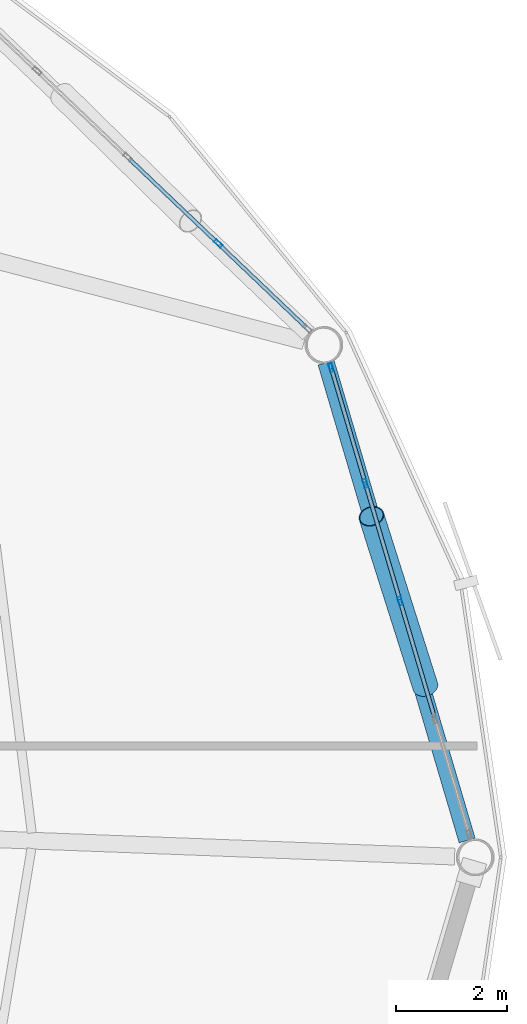
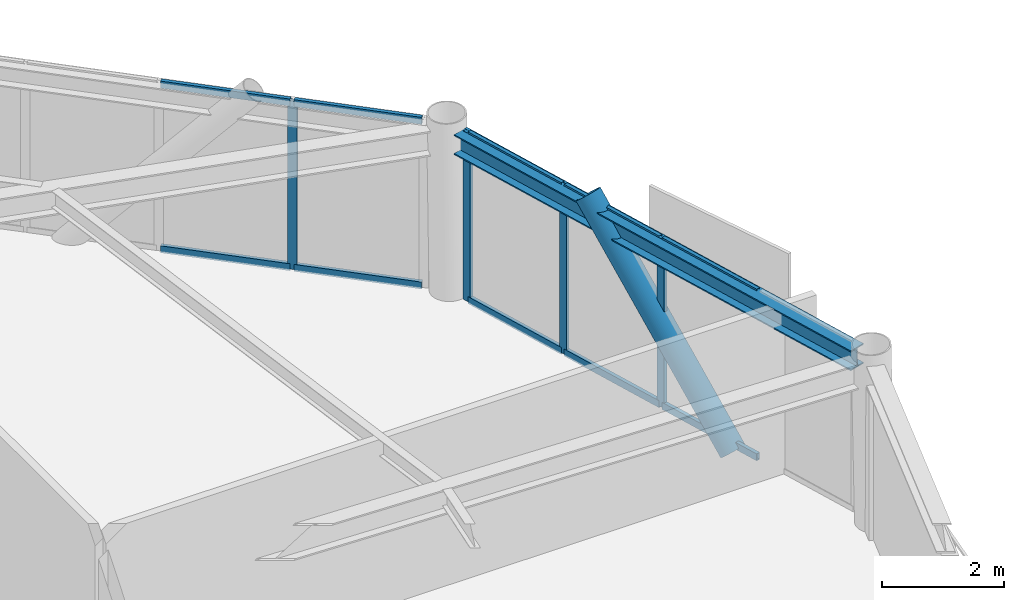
# One storey, part 17 of 28: 15 members, 1 beam, 2 elements without a shape of their own.
"""IFC4 building model written with IfcOpenShell, lengths in metres."""

import ifcopenshell
import ifcopenshell.guid

model = None  # the IFC model being written
_history = None  # IfcOwnerHistory: only IFC2X3 demands one
_inside = {}  # id of a spatial element -> (the spatial element, [elements in it])
_under = {}  # id of a project, library or spatial element -> (it, [spatial elements below it])
_declared = {}  # id of a project -> (the project, [libraries it declares])
_typed = {}  # id of a type object -> (the type object, [elements of that type])
_made_of = {}  # id of a material, layer set ... -> (it, [elements and type objects made of it])


def new_model(schema):
    """Start an empty IFC model of exactly this schema.

    Asked for "IFC4X3", IfcOpenShell would pick the latest addendum, in which some entities
    have other attributes; the version numbers below select the first issue.
    IFC2X3 requires an IfcOwnerHistory on every rooted entity: one is made here for all.
    """
    global model, _history
    if schema == "IFC4X3":
        model = ifcopenshell.file(schema_version=(4, 3, 0, 0))
    else:
        model = ifcopenshell.file(schema=schema)
    _inside.clear()
    _under.clear()
    _declared.clear()
    _typed.clear()
    _made_of.clear()
    _history = None
    if model.schema == "IFC2X3":
        org = make("IfcOrganization", Name="unknown")
        user = make(
            "IfcPersonAndOrganization",
            ThePerson=make("IfcPerson", FamilyName="unknown"),
            TheOrganization=org,
        )
        app = make(
            "IfcApplication",
            ApplicationDeveloper=org,
            Version="unknown",
            ApplicationFullName="unknown",
            ApplicationIdentifier="unknown",
        )
        _history = make(
            "IfcOwnerHistory",
            OwningUser=user,
            OwningApplication=app,
            ChangeAction="ADDED",
            CreationDate=0,
        )
    return model


def make(cls, **values):
    """One entity of the class cls with the attributes given. An attribute that is None is left unset."""
    return model.create_entity(
        cls, **{name: value for name, value in values.items() if value is not None}
    )


def rooted(cls, **values):
    """An entity with a GlobalId (a new one), such as an element, a storey or a relation."""
    return make(cls, GlobalId=ifcopenshell.guid.new(), OwnerHistory=_history, **values)


def si_unit(unit_type, name, prefix=None):
    """IfcSIUnit, for example si_unit("LENGTHUNIT", "METRE", prefix="MILLI")."""
    return make("IfcSIUnit", UnitType=unit_type, Prefix=prefix, Name=name)


def assignment(units):
    """IfcUnitAssignment: the units of a project."""
    return None if units is None else make("IfcUnitAssignment", Units=units)


def point(xyz):
    """IfcCartesianPoint."""
    return None if xyz is None else make("IfcCartesianPoint", Coordinates=xyz)


def direction(xyz):
    """IfcDirection."""
    return None if xyz is None else make("IfcDirection", DirectionRatios=xyz)


def frame(location, z_axis=None, x_axis=None):
    """IfcAxis2Placement3D, a coordinate frame: its origin and axes. An axis left out is left unset."""
    return make(
        "IfcAxis2Placement3D",
        Location=point(location),
        Axis=direction(z_axis),
        RefDirection=direction(x_axis),
    )


def frame_2d(location, x_axis=None):
    """IfcAxis2Placement2D, a coordinate frame in the plane: its origin and x axis."""
    return make(
        "IfcAxis2Placement2D", Location=point(location), RefDirection=direction(x_axis)
    )


def origin():
    """The frame at (0, 0, 0) with its axes left unset."""
    return frame((0.0, 0.0, 0.0))


def origin_2d():
    """The frame at (0, 0) in the plane with its x axis left unset."""
    return frame_2d((0.0, 0.0))


def place(relative_to, where):
    """IfcLocalPlacement: puts the frame where relative to a parent placement (None: the world)."""
    return make(
        "IfcLocalPlacement", PlacementRelTo=relative_to, RelativePlacement=where
    )


def context(
    kind, dimensions, precision=None, world=None, true_north=None, identifier=None
):
    """IfcGeometricRepresentationContext, for example the 3D "Model" context."""
    return make(
        "IfcGeometricRepresentationContext",
        ContextIdentifier=identifier,
        ContextType=kind,
        CoordinateSpaceDimension=dimensions,
        Precision=precision,
        WorldCoordinateSystem=world,
        TrueNorth=true_north,
    )


def subcontext(parent, identifier, kind, view, scale=None):
    """IfcGeometricRepresentationSubContext, for example "Body" below "Model"."""
    return make(
        "IfcGeometricRepresentationSubContext",
        ContextIdentifier=identifier,
        ContextType=kind,
        ParentContext=parent,
        TargetScale=scale,
        TargetView=view,
    )


def project(units=None, contexts=None):
    """IfcProject with its units and contexts."""
    return rooted(
        "IfcProject",
        Name="project",
        RepresentationContexts=contexts,
        UnitsInContext=assignment(units),
    )


def spatial(cls, under=None, at=None, **own):
    """A site, building, storey or space (cls), placed at a placement, below another one or the project."""
    s = rooted(cls, ObjectPlacement=at, **own)
    if under is not None:
        _under.setdefault(under.id(), (under, []))[1].append(s)
    return s


def profile(cls, at=None, kind="AREA", **sizes):
    """A parametric profile (cls). Its sizes go by their IFC names, for example OverallWidth=200.0."""
    return make(cls, ProfileType=kind, Position=at, **sizes)


def hollow_rectangle(**sizes):
    """IfcRectangleHollowProfileDef."""
    return profile("IfcRectangleHollowProfileDef", **sizes)


def hollow_circle(**sizes):
    """IfcCircleHollowProfileDef."""
    return profile("IfcCircleHollowProfileDef", **sizes)


def i_section(**sizes):
    """IfcIShapeProfileDef."""
    return profile("IfcIShapeProfileDef", **sizes)


def extrude(swept, where, along, depth):
    """IfcExtrudedAreaSolid: the profile swept, set in the frame where, extruded along a direction by depth."""
    return make(
        "IfcExtrudedAreaSolid",
        SweptArea=swept,
        Position=where,
        ExtrudedDirection=direction(along),
        Depth=depth,
    )


def shape(context_of_items, identifier, shape_type, items):
    """IfcShapeRepresentation: the items that make up one representation, for example the "Body"."""
    return make(
        "IfcShapeRepresentation",
        ContextOfItems=context_of_items,
        RepresentationIdentifier=identifier,
        RepresentationType=shape_type,
        Items=items,
    )


def material(Name=None, Category=None):
    """IfcMaterial."""
    return make("IfcMaterial", Name=Name, Category=Category)


def layer(
    of_material, thickness, ventilated=None, Name=None, Category=None, Priority=None
):
    """IfcMaterialLayer: one layer of a wall or slab, of a material (None: an air gap)."""
    return make(
        "IfcMaterialLayer",
        Material=of_material,
        LayerThickness=thickness,
        IsVentilated=ventilated,
        Name=Name,
        Category=Category,
        Priority=Priority,
    )


def layer_set(layers, Name=None):
    """IfcMaterialLayerSet."""
    return make("IfcMaterialLayerSet", MaterialLayers=layers, LayerSetName=Name)


def material_profile(
    of_material, cross_section, Name=None, Category=None, Priority=None
):
    """IfcMaterialProfile: a cross section and its material."""
    return make(
        "IfcMaterialProfile",
        Name=Name,
        Material=of_material,
        Profile=cross_section,
        Priority=Priority,
        Category=Category,
    )


def profile_set(profiles, Name=None, composite=None):
    """IfcMaterialProfileSet."""
    return make(
        "IfcMaterialProfileSet",
        Name=Name,
        MaterialProfiles=profiles,
        CompositeProfile=composite,
    )


def made_of(thing, what):
    """Note that an element or type object is made of a material, layer set ...; save() writes the relation."""
    if what is not None:
        _made_of.setdefault(what.id(), (what, []))[1].append(thing)
    return thing


def type_object(cls, material=None, **own):
    """A type object (cls), such as IfcWallType, which elements share."""
    return made_of(rooted(cls, **own), material)


def element(
    cls,
    number,
    at=None,
    inside=None,
    cuts=None,
    type_object=None,
    material=None,
    context=None,
    identifier="Body",
    shape_type=None,
    held_by="IfcProductDefinitionShape",
    body=None,
    shapes=None,
    **own,
):
    """One element of the class cls, such as IfcWall. Its Tag is "e" and its number.

    at: its placement. inside: the storey or other place that contains it. cuts: it is an
    opening in that element (IfcRelVoidsElement). A single representation is given by context,
    identifier, shape_type and body (its items); several are given by shapes. held_by: the class
    of the entity that holds the representations. save() writes the other relations.
    """
    e = rooted(cls, Tag="e%d" % number, ObjectPlacement=at, **own)
    if body is not None:
        shapes = [shape(context, identifier, shape_type, body)]
    if shapes is not None:
        e.Representation = make(held_by, Representations=shapes)
    if inside is not None:
        _inside.setdefault(inside.id(), (inside, []))[1].append(e)
    if cuts is not None:
        rooted(
            "IfcRelVoidsElement", RelatingBuildingElement=cuts, RelatedOpeningElement=e
        )
    if type_object is not None:
        _typed.setdefault(type_object.id(), (type_object, []))[1].append(e)
    return made_of(e, material)


def aggregate(whole, parts):
    """IfcRelAggregates: a whole, such as a stair, and the parts it consists of."""
    return rooted("IfcRelAggregates", RelatingObject=whole, RelatedObjects=parts)


def save(model, path):
    """Write the relations noted so far, then the file.

    IfcRelAggregates (storeys below a building ...), IfcRelContainedInSpatialStructure (elements
    in a storey), IfcRelDefinesByType, IfcRelAssociatesMaterial and IfcRelDeclares: one each for
    every whole, place, type object, material and project.
    """
    for whole, parts in _under.values():
        aggregate(whole, parts)
    for where, things in _inside.values():
        rooted(
            "IfcRelContainedInSpatialStructure",
            RelatedElements=things,
            RelatingStructure=where,
        )
    for kind, things in _typed.values():
        rooted("IfcRelDefinesByType", RelatedObjects=things, RelatingType=kind)
    for what, things in _made_of.values():
        rooted("IfcRelAssociatesMaterial", RelatedObjects=things, RelatingMaterial=what)
    for by, libraries in _declared.values():
        rooted("IfcRelDeclares", RelatingContext=by, RelatedDefinitions=libraries)
    model.write(path)


model = new_model("IFC4")

# Units and contexts
model_context = context("Model", 3, precision=1e-05, world=origin(), true_north=direction((0.0, 1.0)))
body_context = subcontext(model_context, "Body", "Model", "MODEL_VIEW")
ifc_project = project(units=[si_unit("LENGTHUNIT", "METRE"), si_unit("AREAUNIT", "SQUARE_METRE"), si_unit("VOLUMEUNIT", "CUBIC_METRE"), si_unit("PLANEANGLEUNIT", "RADIAN"), si_unit("MASSUNIT", "GRAM", prefix="KILO")], contexts=[model_context])

# Site, building, storey
site_placement = place(None, origin())
site = spatial("IfcSite", under=ifc_project, at=site_placement, CompositionType="ELEMENT")
building_placement = place(site_placement, origin())
building = spatial("IfcBuilding", under=site, at=building_placement, Name="Varnakorn Sky Granary", CompositionType="ELEMENT")
storey_placement = place(building_placement, frame((0.0, 0.0, 196.800048828125)))
storey = spatial("IfcBuildingStorey", under=building, at=storey_placement, Name="L49", CompositionType="ELEMENT", Elevation=196.800048828125)

# Beam
ifc_material_1 = material(Name="Steel S355JR", Category="steel")
ifc_material_profile_1 = material_profile(ifc_material_1, i_section(OverallWidth=0.300048828125, OverallDepth=0.39990234375, WebThickness=0.013427734375, FlangeThickness=0.02392578125, at=origin_2d()), Name="HE 400 B")
ifc_profile_set_1 = profile_set([ifc_material_profile_1], Name="Steel S355JR")
beam_type = type_object("IfcBeamType", Name="BM-SPD-Z4", PredefinedType="SPANDREL", material=ifc_profile_set_1)
beam_placement = place(storey_placement, frame((24.13671875, 0.302001953125, 3.159912109375), z_axis=(-0.283136334563, 0.959079671378, 0.0), x_axis=(-0.959079671378, -0.283136334563, 0.0)))
element("IfcBeam", 1, at=beam_placement, inside=storey, type_object=beam_type, Name="Perimeter Spandrel Ring Beam RB01 L49", PredefinedType="SPANDREL", context=body_context, shape_type="SweptSolid", body=[
    extrude(i_section(OverallWidth=0.300048828125, OverallDepth=0.39990234375, WebThickness=0.013427734375, FlangeThickness=0.02392578125, at=origin_2d()), origin(), (0.0, 0.0, 1.0), 8.951171875),
])

# Curtain wall, members
ifc_material_2 = material(Name="Anodised Bronze Aluminium Alloy 6063-T6", Category="aluminium")
ifc_layer = layer(ifc_material_2, 0.169921875, Name="Anodised Bronze Aluminium Alloy 6063-T6")
ifc_layer_set = layer_set([ifc_layer], Name="Anodised Bronze Aluminium Alloy 6063-T6")
curtain_wall_type = type_object("IfcCurtainWallType", Name="CW-LAB-1", PredefinedType="USERDEFINED", material=ifc_layer_set)
curtain_wall_1_placement = place(storey_placement, origin())
curtain_wall_1 = element("IfcCurtainWall", 2, at=curtain_wall_1_placement, inside=storey, type_object=curtain_wall_type, Name="Unitised Curtain Wall CW5 CW-L49-B01", ObjectType="CURTAIN WALL", PredefinedType="USERDEFINED")
ifc_material_profile_2 = material_profile(ifc_material_2, hollow_rectangle(XDim=0.06494140625, YDim=0.159912109375, WallThickness=0.00341796875, at=origin_2d()), Name="ALU MULL 65x160")
ifc_profile_set_2 = profile_set([ifc_material_profile_2], Name="Anodised Bronze Aluminium Alloy 6063-T6")
member_type_1 = type_object("IfcMemberType", Name="CW-LAB-1-MULL", PredefinedType="MULLION", material=ifc_profile_set_2)
member_1_placement = place(storey_placement, frame((21.69189453125, 8.80078125, 0.0), z_axis=(0.0, 0.0, 1.0), x_axis=(0.958963914964, 0.283528146394, 0.0)))
member_1 = element("IfcMember", 3, at=member_1_placement, type_object=member_type_1, Name="CW5 mullion 1", PredefinedType="MULLION", context=body_context, shape_type="SweptSolid", body=[
    extrude(hollow_rectangle(XDim=0.06494140625, YDim=0.159912109375, WallThickness=0.00341796875, at=origin_2d()), origin(), (0.0, 0.0, 1.0), 3.35986328125),
])
member_2_placement = place(storey_placement, frame((22.307861328125, 6.717529296875, 0.0), z_axis=(0.0, 0.0, 1.0), x_axis=(0.958963914964, 0.283528146394, 0.0)))
member_2 = element("IfcMember", 4, at=member_2_placement, type_object=member_type_1, Name="CW5 mullion 2", PredefinedType="MULLION", context=body_context, shape_type="SweptSolid", body=[
    extrude(hollow_rectangle(XDim=0.06494140625, YDim=0.159912109375, WallThickness=0.00341796875, at=origin_2d()), origin(), (0.0, 0.0, 1.0), 3.35986328125),
])
member_3_placement = place(storey_placement, frame((22.93310546875, 4.60302734375, 0.0), z_axis=(0.0, 0.0, 1.0), x_axis=(0.958963914964, 0.283528146394, 0.0)))
member_3 = element("IfcMember", 5, at=member_3_placement, type_object=member_type_1, Name="CW5 mullion 3", PredefinedType="MULLION", context=body_context, shape_type="SweptSolid", body=[
    extrude(hollow_rectangle(XDim=0.06494140625, YDim=0.159912109375, WallThickness=0.00341796875, at=origin_2d()), origin(), (0.0, 0.0, 1.0), 3.35986328125),
])

# Curtain wall, member
curtain_wall_2_placement = place(storey_placement, origin())
curtain_wall_2 = element("IfcCurtainWall", 6, at=curtain_wall_2_placement, inside=storey, type_object=curtain_wall_type, Name="Unitised Curtain Wall CW5 CW-L49-B02", ObjectType="CURTAIN WALL", PredefinedType="USERDEFINED")
member_4_placement = place(storey_placement, frame((19.6640625, 11.025390625, 0.0), z_axis=(0.0, 0.0, 1.0), x_axis=(0.690097158605, 0.723716734424, 0.0)))
member_4 = element("IfcMember", 7, at=member_4_placement, type_object=member_type_1, Name="CW5 mullion 4", PredefinedType="MULLION", context=body_context, shape_type="SweptSolid", body=[
    extrude(hollow_rectangle(XDim=0.06494140625, YDim=0.159912109375, WallThickness=0.00341796875, at=origin_2d()), origin(), (0.0, 0.0, 1.0), 3.35986328125),
])

# Member
ifc_material_profile_3 = material_profile(ifc_material_2, hollow_rectangle(XDim=0.070068359375, YDim=0.139892578125, WallThickness=0.00341796875, at=origin_2d()), Name="ALU TRAN 70x140")
ifc_profile_set_3 = profile_set([ifc_material_profile_3], Name="Anodised Bronze Aluminium Alloy 6063-T6")
member_type_2 = type_object("IfcMemberType", Name="CW-LAB-1-TRAN", PredefinedType="USERDEFINED", material=ifc_profile_set_3)
member_5_placement = place(storey_placement, frame((21.701171875, 8.769775390625, 0.034912109375), z_axis=(0.283476899326, -0.95897906523, 0.0), x_axis=(0.95897906523, 0.283476899326, 0.0)))
member_5 = element("IfcMember", 8, at=member_5_placement, type_object=member_type_2, Name="CW5 transom 1.1", ObjectType="TRANSOM", PredefinedType="USERDEFINED", context=body_context, shape_type="SweptSolid", body=[
    extrude(hollow_rectangle(XDim=0.070068359375, YDim=0.139892578125, WallThickness=0.00341796875, at=origin_2d()), origin(), (0.0, 0.0, 1.0), 2.107421875),
])

member_6_placement = place(storey_placement, frame((21.701171875, 8.769775390625, 3.324951171875), z_axis=(0.283476899326, -0.95897906523, 0.0), x_axis=(0.95897906523, 0.283476899326, 0.0)))
member_6 = element("IfcMember", 9, at=member_6_placement, type_object=member_type_2, Name="CW5 transom 1.2", ObjectType="TRANSOM", PredefinedType="USERDEFINED", context=body_context, shape_type="SweptSolid", body=[
    extrude(hollow_rectangle(XDim=0.070068359375, YDim=0.139892578125, WallThickness=0.00341796875, at=origin_2d()), origin(), (0.0, 0.0, 1.0), 2.107421875),
])

member_7_placement = place(storey_placement, frame((22.317138671875, 6.686279296875, 0.034912109375), z_axis=(0.283525001683, -0.958964844726, 0.0), x_axis=(0.958964844726, 0.283525001683, 0.0)))
member_7 = element("IfcMember", 10, at=member_7_placement, type_object=member_type_2, Name="CW5 transom 2.1", ObjectType="TRANSOM", PredefinedType="USERDEFINED", context=body_context, shape_type="SweptSolid", body=[
    extrude(hollow_rectangle(XDim=0.070068359375, YDim=0.139892578125, WallThickness=0.00341796875, at=origin_2d()), origin(), (0.0, 0.0, 1.0), 2.139892578125),
])

member_8_placement = place(storey_placement, frame((22.317138671875, 6.686279296875, 3.324951171875), z_axis=(0.283525001683, -0.958964844726, 0.0), x_axis=(0.958964844726, 0.283525001683, 0.0)))
member_8 = element("IfcMember", 11, at=member_8_placement, type_object=member_type_2, Name="CW5 transom 2.2", ObjectType="TRANSOM", PredefinedType="USERDEFINED", context=body_context, shape_type="SweptSolid", body=[
    extrude(hollow_rectangle(XDim=0.070068359375, YDim=0.139892578125, WallThickness=0.00341796875, at=origin_2d()), origin(), (0.0, 0.0, 1.0), 2.139892578125),
])

member_9_placement = place(storey_placement, frame((22.9423828125, 4.57177734375, 0.034912109375), z_axis=(0.283525001683, -0.958964844726, 0.0), x_axis=(0.958964844726, 0.283525001683, 0.0)))
member_9 = element("IfcMember", 12, at=member_9_placement, type_object=member_type_2, Name="CW5 transom 3.1", ObjectType="TRANSOM", PredefinedType="USERDEFINED", context=body_context, shape_type="SweptSolid", body=[
    extrude(hollow_rectangle(XDim=0.070068359375, YDim=0.139892578125, WallThickness=0.00341796875, at=origin_2d()), origin(), (0.0, 0.0, 1.0), 2.139892578125),
])

member_10_placement = place(storey_placement, frame((22.9423828125, 4.57177734375, 3.324951171875), z_axis=(0.283525001683, -0.958964844726, 0.0), x_axis=(0.958964844726, 0.283525001683, 0.0)))
member_10 = element("IfcMember", 13, at=member_10_placement, type_object=member_type_2, Name="CW5 transom 3.2", ObjectType="TRANSOM", PredefinedType="USERDEFINED", context=body_context, shape_type="SweptSolid", body=[
    extrude(hollow_rectangle(XDim=0.070068359375, YDim=0.139892578125, WallThickness=0.00341796875, at=origin_2d()), origin(), (0.0, 0.0, 1.0), 2.139892578125),
])

aggregate(curtain_wall_1, [member_1, member_2, member_3, member_5, member_6, member_7, member_8, member_9, member_10])

member_11_placement = place(storey_placement, frame((18.061767578125, 12.55322265625, 0.034912109375), z_axis=(0.723749243544, -0.690063064125, 0.0), x_axis=(0.690063064125, 0.723749243544, 0.0)))
member_11 = element("IfcMember", 14, at=member_11_placement, type_object=member_type_2, Name="CW5 transom 3.1", ObjectType="TRANSOM", PredefinedType="USERDEFINED", context=body_context, shape_type="SweptSolid", body=[
    extrude(hollow_rectangle(XDim=0.070068359375, YDim=0.139892578125, WallThickness=0.00341796875, at=origin_2d()), origin(), (0.0, 0.0, 1.0), 2.181396484375),
])

member_12_placement = place(storey_placement, frame((18.061767578125, 12.55322265625, 3.324951171875), z_axis=(0.723749243544, -0.690063064125, 0.0), x_axis=(0.690063064125, 0.723749243544, 0.0)))
member_12 = element("IfcMember", 15, at=member_12_placement, type_object=member_type_2, Name="CW5 transom 3.2", ObjectType="TRANSOM", PredefinedType="USERDEFINED", context=body_context, shape_type="SweptSolid", body=[
    extrude(hollow_rectangle(XDim=0.070068359375, YDim=0.139892578125, WallThickness=0.00341796875, at=origin_2d()), origin(), (0.0, 0.0, 1.0), 2.181396484375),
])

member_13_placement = place(storey_placement, frame((19.6875, 11.0029296875, 0.034912109375), z_axis=(0.72377580902, -0.690035200752, 0.0), x_axis=(0.690035200752, 0.72377580902, 0.0)))
member_13 = element("IfcMember", 16, at=member_13_placement, type_object=member_type_2, Name="CW5 transom 4.1", ObjectType="TRANSOM", PredefinedType="USERDEFINED", context=body_context, shape_type="SweptSolid", body=[
    extrude(hollow_rectangle(XDim=0.070068359375, YDim=0.139892578125, WallThickness=0.00341796875, at=origin_2d()), origin(), (0.0, 0.0, 1.0), 2.14892578125),
])

member_14_placement = place(storey_placement, frame((19.6875, 11.0029296875, 3.324951171875), z_axis=(0.72377580902, -0.690035200752, 0.0), x_axis=(0.690035200752, 0.72377580902, 0.0)))
member_14 = element("IfcMember", 17, at=member_14_placement, type_object=member_type_2, Name="CW5 transom 4.2", ObjectType="TRANSOM", PredefinedType="USERDEFINED", context=body_context, shape_type="SweptSolid", body=[
    extrude(hollow_rectangle(XDim=0.070068359375, YDim=0.139892578125, WallThickness=0.00341796875, at=origin_2d()), origin(), (0.0, 0.0, 1.0), 2.14892578125),
])

aggregate(curtain_wall_2, [member_4, member_11, member_12, member_13, member_14])

ifc_material_3 = material(Name="Steel S460M", Category="steel")
ifc_material_profile_4 = material_profile(ifc_material_3, hollow_circle(Radius=0.228515625, WallThickness=0.01611328125, at=origin_2d()), Name="CHS 457x16")
ifc_profile_set_4 = profile_set([ifc_material_profile_4], Name="Steel S460M")
member_type_3 = type_object("IfcMemberType", Name="MB-DIAG-T3", PredefinedType="BRACE", material=ifc_profile_set_4)
member_15_placement = place(storey_placement, frame((23.38671875, 3.068603515625, -0.130126953125), z_axis=(-0.200398752192, 0.63213943922, 0.748491863351), x_axis=(-0.95324614839, -0.302194938043, 0.0)))
element("IfcMember", 18, at=member_15_placement, inside=storey, type_object=member_type_3, Name="Perimeter CHS Diagrid Brace DG01 L49", PredefinedType="BRACE", context=body_context, shape_type="SweptSolid", body=[
    extrude(hollow_circle(Radius=0.228515625, WallThickness=0.01611328125, at=origin_2d()), origin(), (0.0, 0.0, 1.0), 4.836669921875),
])

save(model, "model.ifc")
